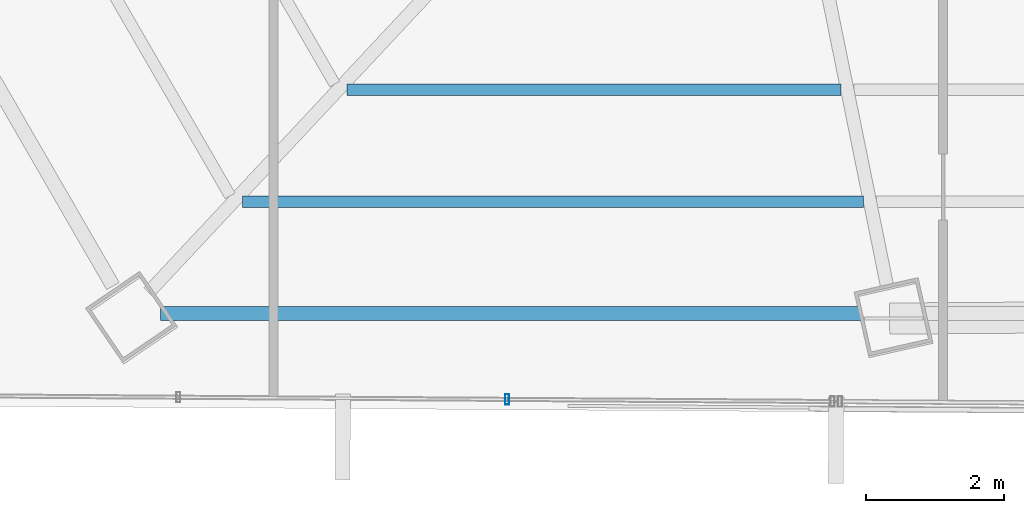
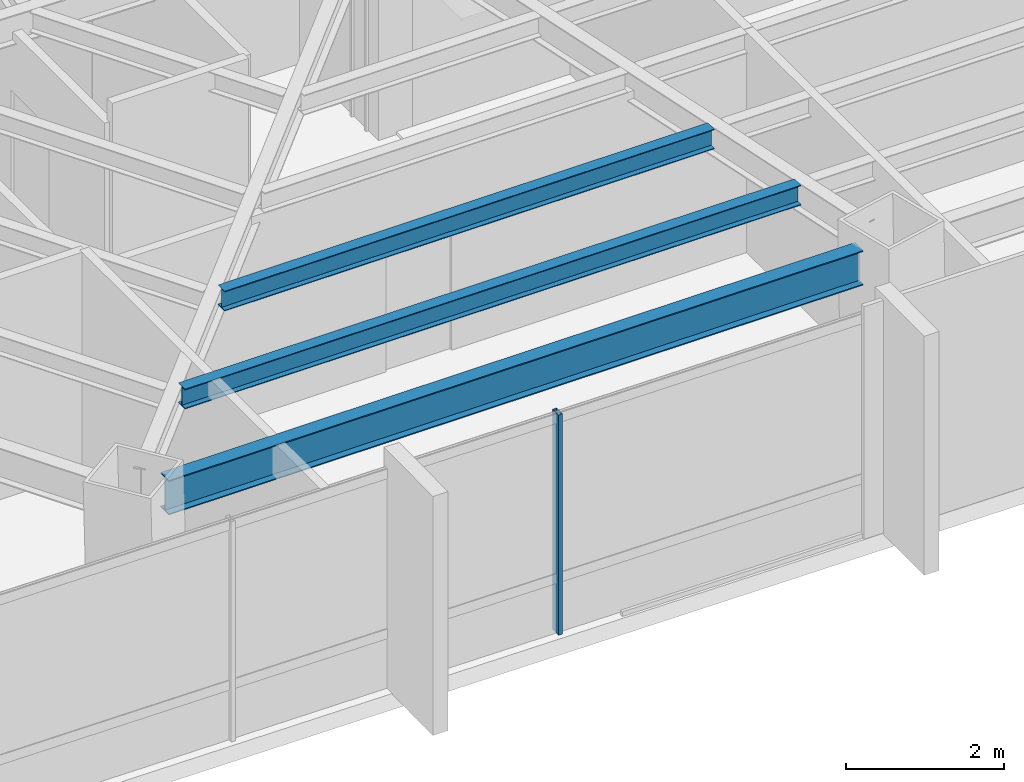
# One storey, part 4 of 41: 3 beams, 1 member, 1 element without a shape of its own.
"""IFC4 building model written with IfcOpenShell, lengths in metres."""

from ifc_helpers import new_model, si_unit, direction, frame, origin, origin_2d, place, context, subcontext, project, spatial, hollow_rectangle, i_section, extrude, source, transform, mapped, material, material_profile, profile_set, type_object, type_shapes, element, aggregate, save


model = new_model("IFC4")

# Units and contexts
model_context = context("Model", 3, precision=1e-05, world=origin(), true_north=direction((0.0, 1.0)))
body_context = subcontext(model_context, "Body", "Model", "MODEL_VIEW")
ifc_project = project(units=[si_unit("LENGTHUNIT", "METRE"), si_unit("AREAUNIT", "SQUARE_METRE"), si_unit("VOLUMEUNIT", "CUBIC_METRE"), si_unit("PLANEANGLEUNIT", "RADIAN"), si_unit("MASSUNIT", "GRAM", prefix="KILO")], contexts=[model_context])

# Site, building, storey
site_placement = place(None, origin())
site = spatial("IfcSite", under=ifc_project, at=site_placement, CompositionType="ELEMENT")
building_placement = place(site_placement, origin())
building = spatial("IfcBuilding", under=site, at=building_placement, Name="Caelisora Broadcast Tower", CompositionType="ELEMENT")
storey_placement = place(building_placement, frame((0.0, 0.0, 169.449951171875)))
storey = spatial("IfcBuildingStorey", under=building, at=storey_placement, Name="L44", CompositionType="ELEMENT", Elevation=169.449951171875)

# Beams
ifc_material_1 = material(Name="Steel Grade 350 (AS/NZS 3679.1)", Category="steel")
ifc_material_profile_1 = material_profile(ifc_material_1, i_section(OverallWidth=0.208984375, OverallDepth=0.532958984375, WebThickness=0.01025390625, FlangeThickness=0.015625, at=origin_2d()), Name="Steel Grade 350 (AS/NZS 3679.1)")
ifc_profile_set_1 = profile_set([ifc_material_profile_1], Name="Steel Grade 350 (AS/NZS 3679.1)")
beam_type_1 = type_object("IfcBeamType", Name="PG05", PredefinedType="BEAM", material=ifc_profile_set_1)
shared_shape_1 = source(origin(), body_context, "Body", "SweptSolid", [
    extrude(i_section(OverallWidth=0.208984375, OverallDepth=0.532958984375, WebThickness=0.01025390625, FlangeThickness=0.015625, at=origin_2d()), origin(), (0.0, 0.0, 1.0), 10.141357421875),
])
type_shapes(beam_type_1, [shared_shape_1])
beam_1_placement = place(storey_placement, frame((21.867919921875, 7.681884765625, 3.133544921875), z_axis=(1.0, 0.0, 0.0), x_axis=(0.0, 1.0, 0.0)))
element("IfcBeam", 1, at=beam_1_placement, inside=storey, type_object=beam_type_1, Name="L44 beam PG05", PredefinedType="BEAM", context=body_context, shape_type="MappedRepresentation", body=[
    mapped(shared_shape_1, transform((0.0, 0.0, 0.0), scale=1.0)),
])
ifc_material_profile_2 = material_profile(ifc_material_1, i_section(OverallWidth=0.166015625, OverallDepth=0.30712890625, WebThickness=0.006591796875, FlangeThickness=0.01171875, at=origin_2d()), Name="Steel Grade 350 (AS/NZS 3679.1)")
ifc_profile_set_2 = profile_set([ifc_material_profile_2], Name="Steel Grade 350 (AS/NZS 3679.1)")
beam_type_2 = type_object("IfcBeamType", Name="SB03", PredefinedType="JOIST", material=ifc_profile_set_2)
shared_shape_2 = source(origin(), body_context, "Body", "SweptSolid", [
    extrude(i_section(OverallWidth=0.166015625, OverallDepth=0.30712890625, WebThickness=0.006591796875, FlangeThickness=0.01171875, at=origin_2d()), origin(), (0.0, 0.0, 1.0), 7.152099609375),
])
beam_2_placement = place(storey_placement, frame((24.56640625, 10.92138671875, 3.246337890625), z_axis=(1.0, 0.0, 0.0), x_axis=(0.0, 1.0, 0.0)))
element("IfcBeam", 2, at=beam_2_placement, inside=storey, type_object=beam_type_2, Name="L44 beam SB03", PredefinedType="JOIST", context=body_context, shape_type="MappedRepresentation", body=[
    mapped(shared_shape_2, transform((0.0, 0.0, 0.0), scale=1.0)),
])
shared_shape_3 = source(origin(), body_context, "Body", "SweptSolid", [
    extrude(i_section(OverallWidth=0.166015625, OverallDepth=0.30712890625, WebThickness=0.006591796875, FlangeThickness=0.01171875, at=origin_2d()), origin(), (0.0, 0.0, 1.0), 8.99560546875),
])
type_shapes(beam_type_2, [shared_shape_2, shared_shape_3])
beam_3_placement = place(storey_placement, frame((23.051025390625, 9.3017578125, 3.246337890625), z_axis=(1.0, 0.0, 0.0), x_axis=(0.0, 1.0, 0.0)))
element("IfcBeam", 3, at=beam_3_placement, inside=storey, type_object=beam_type_2, Name="L44 beam SB03", PredefinedType="JOIST", context=body_context, shape_type="MappedRepresentation", body=[
    mapped(shared_shape_3, transform((0.0, 0.0, 0.0), scale=1.0)),
])

# Curtain wall, member
ifc_material_2 = material(Name="Unitised Aluminium and Low-E Glass Curtain Wall", Category="glass")
curtain_wall_type = type_object("IfcCurtainWallType", Name="CW-Z3", PredefinedType="NOTDEFINED", material=ifc_material_2)
curtain_wall_placement = place(storey_placement, origin())
curtain_wall = element("IfcCurtainWall", 4, at=curtain_wall_placement, inside=storey, type_object=curtain_wall_type, Name="L44 curtain wall CW-Z3", PredefinedType="NOTDEFINED")
ifc_material_3 = material(Name="Aluminium 6063-T6 Anodised Terracotta Bronze", Category="aluminium")
ifc_material_profile_3 = material_profile(ifc_material_3, hollow_rectangle(XDim=0.06005859375, YDim=0.14990234375, WallThickness=0.00341796875, at=origin_2d()), Name="Aluminium 6063-T6 Anodised Terracotta Bronze")
ifc_profile_set_3 = profile_set([ifc_material_profile_3], Name="Aluminium 6063-T6 Anodised Terracotta Bronze")
member_type = type_object("IfcMemberType", Name="CWM-03", PredefinedType="MULLION", material=ifc_profile_set_3)
shared_shape_4 = source(origin(), body_context, "Body", "SweptSolid", [
    extrude(hollow_rectangle(XDim=0.06005859375, YDim=0.14990234375, WallThickness=0.00341796875, at=origin_2d()), origin(), (0.0, 0.0, 1.0), 3.400146484375),
])
type_shapes(member_type, [shared_shape_4])
member_placement = place(storey_placement, frame((26.886962890625, 6.4384765625, 0.0), z_axis=(0.0, 0.0, 1.0), x_axis=(1.0, 0.0, 0.0)))
member = element("IfcMember", 5, at=member_placement, type_object=member_type, Name="L44-CW-B07 mullion #1", PredefinedType="MULLION", context=body_context, shape_type="MappedRepresentation", body=[
    mapped(shared_shape_4, transform((0.0, 0.0, 0.0), scale=1.0)),
])
aggregate(curtain_wall, [member])

save(model, "model.ifc")
